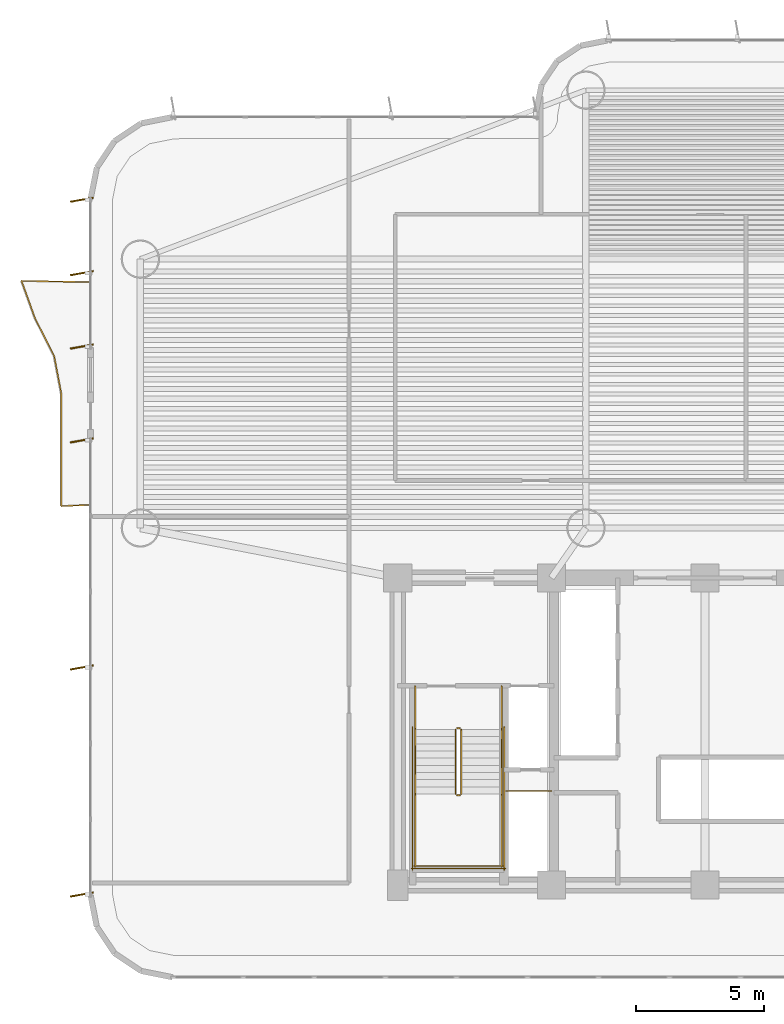
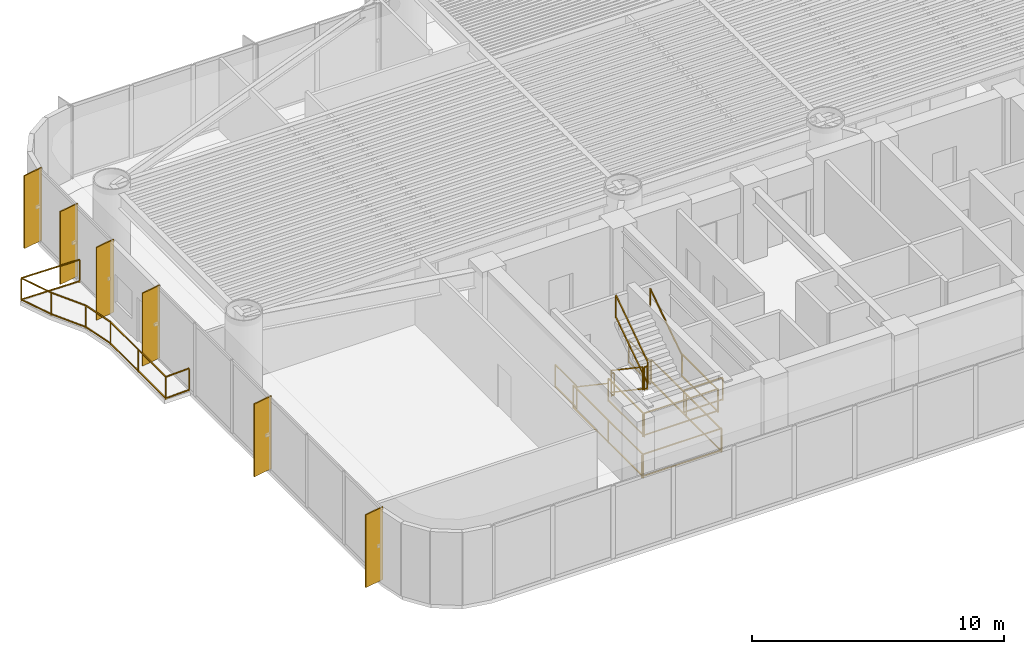
# One storey, part 13 of 16: 16 railings, 6 shading devices.
"""IFC4 building model written with IfcOpenShell, lengths in metres."""

from ifc_helpers import new_model, si_unit, direction, frame, origin, origin_2d, place, context, subcontext, project, spatial, rectangle, extrude, source, transform, mapped, material, layer, layer_set, material_profile, profile_set, type_object, element, save


model = new_model("IFC4")

# Units and contexts
model_context = context("Model", 3, precision=1e-05, world=origin(), true_north=direction((0.0, 1.0)))
body_context = subcontext(model_context, "Body", "Model", "MODEL_VIEW")
ifc_project = project(units=[si_unit("LENGTHUNIT", "METRE"), si_unit("AREAUNIT", "SQUARE_METRE"), si_unit("VOLUMEUNIT", "CUBIC_METRE"), si_unit("PLANEANGLEUNIT", "RADIAN"), si_unit("MASSUNIT", "GRAM", prefix="KILO")], contexts=[model_context])

# Site, building, storey
site_placement = place(None, origin())
site = spatial("IfcSite", under=ifc_project, at=site_placement, CompositionType="ELEMENT")
building_placement = place(site_placement, origin())
building = spatial("IfcBuilding", under=site, at=building_placement, Name="Brelvock Crest Care Tower", CompositionType="ELEMENT")
storey_placement = place(building_placement, frame((0.0, 0.0, 61.02001953125)))
storey = spatial("IfcBuildingStorey", under=building, at=storey_placement, Name="L15", CompositionType="ELEMENT", Elevation=61.02001953125)

# Railings
ifc_material_1 = material(Name="Dark Glass Double Glazed Low-E", Category="glass")
ifc_layer_1 = layer(ifc_material_1, 0.06005859375, Name="RL-BAL1")
ifc_layer_set_1 = layer_set([ifc_layer_1], Name="Dark Glass Double Glazed Low-E")
railing_type_1 = type_object("IfcRailingType", Name="RL-BAL1", PredefinedType="BALUSTRADE", material=ifc_layer_set_1)
railing_1_placement = place(storey_placement, frame((11.9599609375, 20.85009765625, 0.00390625)))
element("IfcRailing", 1, at=railing_1_placement, inside=storey, type_object=railing_type_1, Name="L15 Safety Balustrade WB-W", PredefinedType="BALUSTRADE", context=body_context, shape_type="SweptSolid", body=[
    extrude(rectangle(XDim=0.048095703125, YDim=0.048095703125, at=origin_2d()), frame((-0.001953125, 0.0, 1.09619140625), z_axis=(-0.998966252902, -0.045457953795, 0.0), x_axis=(0.045457953795, -0.998966252902, 0.0)), (0.0, 0.0, 1.0), 1.096923828125),
    extrude(rectangle(XDim=0.048095703125, YDim=0.048095703125, at=origin_2d()), frame((-0.001953125, 0.0, 0.054931640625), z_axis=(-0.998966252902, -0.045457953795, 0.0), x_axis=(0.045457953795, -0.998966252902, 0.0)), (0.0, 0.0, 1.0), 1.096923828125),
    extrude(rectangle(XDim=0.048095703125, YDim=0.048095703125, at=origin_2d()), frame((-1.099853515625, -0.048095703125, 1.09619140625), z_axis=(0.0, 1.0, 0.0), x_axis=(-1.0, 0.0, 0.0)), (0.0, 0.0, 1.0), 4.39599609375),
    extrude(rectangle(XDim=0.048095703125, YDim=0.048095703125, at=origin_2d()), frame((-1.099853515625, -0.048095703125, 0.054931640625), z_axis=(0.0, 1.0, 0.0), x_axis=(-1.0, 0.0, 0.0)), (0.0, 0.0, 1.0), 4.39599609375),
    extrude(rectangle(XDim=0.048095703125, YDim=0.048095703125, at=origin_2d()), frame((-1.100341796875, 4.351806640625, 1.09619140625), z_axis=(-0.187051999936, 0.982350013651, 0.0), x_axis=(-0.982350013651, -0.187051999936, 0.0)), (0.0, 0.0, 1.0), 1.4892578125),
    extrude(rectangle(XDim=0.048095703125, YDim=0.048095703125, at=origin_2d()), frame((-1.100341796875, 4.351806640625, 0.054931640625), z_axis=(-0.187051999936, 0.982350013651, 0.0), x_axis=(-0.982350013651, -0.187051999936, 0.0)), (0.0, 0.0, 1.0), 1.4892578125),
    extrude(rectangle(XDim=0.048095703125, YDim=0.048095703125, at=origin_2d()), frame((-1.380126953125, 5.818359375, 1.09619140625), z_axis=(-0.453316616849, 0.891349563801, 0.0), x_axis=(-0.891349563801, -0.453316616849, 0.0)), (0.0, 0.0, 1.0), 1.641357421875),
    extrude(rectangle(XDim=0.048095703125, YDim=0.048095703125, at=origin_2d()), frame((-1.380126953125, 5.818359375, 0.054931640625), z_axis=(-0.453316616849, 0.891349563801, 0.0), x_axis=(-0.891349563801, -0.453316616849, 0.0)), (0.0, 0.0, 1.0), 1.641357421875),
    extrude(rectangle(XDim=0.048095703125, YDim=0.048095703125, at=origin_2d()), frame((-2.125732421875, 7.28515625, 1.09619140625), z_axis=(-0.338597458076, 0.940931326604, 0.0), x_axis=(-0.940931326604, -0.338597458076, 0.0)), (0.0, 0.0, 1.0), 1.554931640625),
    extrude(rectangle(XDim=0.048095703125, YDim=0.048095703125, at=origin_2d()), frame((-2.125732421875, 7.28515625, 0.054931640625), z_axis=(-0.338597458076, 0.940931326604, 0.0), x_axis=(-0.940931326604, -0.338597458076, 0.0)), (0.0, 0.0, 1.0), 1.554931640625),
    extrude(rectangle(XDim=0.048095703125, YDim=0.048095703125, at=origin_2d()), frame((-2.65087890625, 8.75, 1.09619140625), z_axis=(0.999822080967, -0.018862831456, 0.0), x_axis=(0.018862831456, 0.999822080967, 0.0)), (0.0, 0.0, 1.0), 2.6494140625),
    extrude(rectangle(XDim=0.048095703125, YDim=0.048095703125, at=origin_2d()), frame((-2.65087890625, 8.75, 0.054931640625), z_axis=(0.999822080967, -0.018862831456, 0.0), x_axis=(0.018862831456, 0.999822080967, 0.0)), (0.0, 0.0, 1.0), 2.6494140625),
    extrude(rectangle(XDim=0.0419921875, YDim=0.0419921875, at=origin_2d()), origin(), (0.0, 0.0, 1.0), 1.070068359375),
    extrude(rectangle(XDim=0.0419921875, YDim=0.0419921875, at=origin_2d()), frame((-1.099853515625, -0.050048828125, 0.0)), (0.0, 0.0, 1.0), 1.070068359375),
    extrude(rectangle(XDim=0.0419921875, YDim=0.0419921875, at=origin_2d()), frame((-1.099853515625, 2.14990234375, 0.0)), (0.0, 0.0, 1.0), 1.070068359375),
    extrude(rectangle(XDim=0.0419921875, YDim=0.0419921875, at=origin_2d()), frame((-1.099853515625, 4.349853515625, 0.0)), (0.0, 0.0, 1.0), 1.070068359375),
    extrude(rectangle(XDim=0.0419921875, YDim=0.0419921875, at=origin_2d()), frame((-1.379150390625, 5.816650390625, 0.0)), (0.0, 0.0, 1.0), 1.070068359375),
    extrude(rectangle(XDim=0.0419921875, YDim=0.0419921875, at=origin_2d()), frame((-2.125, 7.283203125, 0.0)), (0.0, 0.0, 1.0), 1.070068359375),
    extrude(rectangle(XDim=0.0419921875, YDim=0.0419921875, at=origin_2d()), frame((-2.65283203125, 8.75, 0.0)), (0.0, 0.0, 1.0), 1.070068359375),
    extrude(rectangle(XDim=0.0419921875, YDim=0.0419921875, at=origin_2d()), frame((0.0, 8.699951171875, 0.0)), (0.0, 0.0, 1.0), 1.070068359375),
])
ifc_material_2 = material(Name="Steel Grade 350", Category="steel")
ifc_layer_2 = layer(ifc_material_2, 0.050048828125, Name="RL-STG1")
ifc_layer_set_2 = layer_set([ifc_layer_2], Name="Steel Grade 350")
railing_type_2 = type_object("IfcRailingType", Name="RL-STG1", PredefinedType="GUARDRAIL", material=ifc_layer_set_2)
railing_2_placement = place(storey_placement, frame((26.260009765625, 12.080078125, 0.18896484375)))
element("IfcRailing", 2, at=railing_2_placement, inside=storey, type_object=railing_type_2, Name="L15 ST-1 stair guard 1", PredefinedType="GUARDRAIL", context=body_context, shape_type="SweptSolid", body=[
    extrude(rectangle(XDim=0.048095703125, YDim=0.048095703125, at=origin_2d()), frame((0.0, -0.001708984375, 1.116943359375), z_axis=(0.0, -0.828861706735, 0.559453546873), x_axis=(1.0, 0.0, 0.0)), (0.0, 0.0, 1.0), 3.036376953125),
    extrude(rectangle(XDim=0.048095703125, YDim=0.048095703125, at=origin_2d()), frame((0.0, -0.001708984375, 0.05615234375), z_axis=(0.0, -0.828861706735, 0.559453546873), x_axis=(1.0, 0.0, 0.0)), (0.0, 0.0, 1.0), 3.036376953125),
    extrude(rectangle(XDim=0.0419921875, YDim=0.0419921875, at=origin_2d()), origin(), (0.0, 0.0, 1.0), 1.08984375),
    extrude(rectangle(XDim=0.0419921875, YDim=0.0419921875, at=origin_2d()), frame((0.0, -2.52001953125, 1.700927734375)), (0.0, 0.0, 1.0), 1.08984375),
])
railing_3_placement = place(storey_placement, frame((26.31005859375, 9.510009765625, 1.889892578125)))
element("IfcRailing", 3, at=railing_3_placement, inside=storey, type_object=railing_type_2, Name="L15 ST-1 stair guard 2", PredefinedType="GUARDRAIL", context=body_context, shape_type="SweptSolid", body=[
    extrude(rectangle(XDim=0.048095703125, YDim=0.048095703125, at=origin_2d()), frame((0.001953125, 0.0, 1.11572265625), z_axis=(1.0, 0.0, 0.0), x_axis=(0.0, 1.0, 0.0)), (0.0, 0.0, 1.0), 0.115966796875),
    extrude(rectangle(XDim=0.048095703125, YDim=0.048095703125, at=origin_2d()), frame((0.001953125, 0.0, 0.054931640625), z_axis=(1.0, 0.0, 0.0), x_axis=(0.0, 1.0, 0.0)), (0.0, 0.0, 1.0), 0.115966796875),
    extrude(rectangle(XDim=0.0419921875, YDim=0.0419921875, at=origin_2d()), origin(), (0.0, 0.0, 1.0), 1.08984375),
    extrude(rectangle(XDim=0.0419921875, YDim=0.0419921875, at=origin_2d()), frame((0.119873046875, 0.0, 0.0)), (0.0, 0.0, 1.0), 1.08984375),
])
for number, where, name in (
    (4, (24.679931640625, 9.56005859375, 1.889892578125), "L15 ST-1 stair guard 3"),
    (5, (28.06005859375, 9.56005859375, 1.889892578125), "L15 ST-1 stair guard 4"),
):
    element("IfcRailing", number, at=place(storey_placement, frame(where)), inside=storey, type_object=railing_type_2, Name=name, PredefinedType="GUARDRAIL", context=body_context, shape_type="SweptSolid", body=[
        extrude(rectangle(XDim=0.048095703125, YDim=0.048095703125, at=origin_2d()), frame((0.0, -0.001953125, 1.11572265625), z_axis=(0.0, -1.0, 0.0), x_axis=(1.0, 0.0, 0.0)), (0.0, 0.0, 1.0), 2.856201171875),
        extrude(rectangle(XDim=0.048095703125, YDim=0.048095703125, at=origin_2d()), frame((0.0, -0.001953125, 0.054931640625), z_axis=(0.0, -1.0, 0.0), x_axis=(1.0, 0.0, 0.0)), (0.0, 0.0, 1.0), 2.856201171875),
        extrude(rectangle(XDim=0.0419921875, YDim=0.0419921875, at=origin_2d()), origin(), (0.0, 0.0, 1.0), 1.08984375),
        extrude(rectangle(XDim=0.0419921875, YDim=0.0419921875, at=origin_2d()), frame((0.0, -2.860107421875, 0.0)), (0.0, 0.0, 1.0), 1.08984375),
    ])
railing_4_placement = place(storey_placement, frame((24.6298828125, 6.75, 1.889892578125)))
element("IfcRailing", 6, at=railing_4_placement, inside=storey, type_object=railing_type_2, Name="L15 ST-1 stair guard 5", PredefinedType="GUARDRAIL", context=body_context, shape_type="SweptSolid", body=[
    extrude(rectangle(XDim=0.048095703125, YDim=0.048095703125, at=origin_2d()), frame((0.001953125, 0.0, 1.11572265625), z_axis=(1.0, 0.0, 0.0), x_axis=(0.0, 1.0, 0.0)), (0.0, 0.0, 1.0), 3.476318359375),
    extrude(rectangle(XDim=0.048095703125, YDim=0.048095703125, at=origin_2d()), frame((0.001953125, 0.0, 0.054931640625), z_axis=(1.0, 0.0, 0.0), x_axis=(0.0, 1.0, 0.0)), (0.0, 0.0, 1.0), 3.476318359375),
    extrude(rectangle(XDim=0.0419921875, YDim=0.0419921875, at=origin_2d()), origin(), (0.0, 0.0, 1.0), 1.08984375),
    extrude(rectangle(XDim=0.0419921875, YDim=0.0419921875, at=origin_2d()), frame((3.480224609375, 0.0, 0.0)), (0.0, 0.0, 1.0), 1.08984375),
])
railing_5_placement = place(storey_placement, frame((26.47998046875, 9.56005859375, 2.0791015625)))
element("IfcRailing", 7, at=railing_5_placement, inside=storey, type_object=railing_type_2, Name="L15 ST-1 stair guard 6", PredefinedType="GUARDRAIL", context=body_context, shape_type="SweptSolid", body=[
    extrude(rectangle(XDim=0.048095703125, YDim=0.048095703125, at=origin_2d()), frame((0.0, 0.001708984375, 1.116943359375), z_axis=(0.0, 0.828861706735, 0.559453546873), x_axis=(-1.0, 0.0, 0.0)), (0.0, 0.0, 1.0), 3.036376953125),
    extrude(rectangle(XDim=0.048095703125, YDim=0.048095703125, at=origin_2d()), frame((0.0, 0.001708984375, 0.05615234375), z_axis=(0.0, 0.828861706735, 0.559453546873), x_axis=(-1.0, 0.0, 0.0)), (0.0, 0.0, 1.0), 3.036376953125),
    extrude(rectangle(XDim=0.0419921875, YDim=0.0419921875, at=origin_2d()), origin(), (0.0, 0.0, 1.0), 1.08984375),
    extrude(rectangle(XDim=0.0419921875, YDim=0.0419921875, at=origin_2d()), frame((0.0, 2.52001953125, 1.700927734375)), (0.0, 0.0, 1.0), 1.08984375),
])
railing_6_placement = place(storey_placement, frame((26.31005859375, 12.1298828125, 0.0)))
element("IfcRailing", 8, at=railing_6_placement, inside=storey, type_object=railing_type_2, Name="L15 ST-1 stair guard 7", PredefinedType="GUARDRAIL", context=body_context, shape_type="SweptSolid", body=[
    extrude(rectangle(XDim=0.048095703125, YDim=0.048095703125, at=origin_2d()), frame((0.001953125, 0.0, 1.11572265625), z_axis=(1.0, 0.0, 0.0), x_axis=(0.0, 1.0, 0.0)), (0.0, 0.0, 1.0), 0.115966796875),
    extrude(rectangle(XDim=0.048095703125, YDim=0.048095703125, at=origin_2d()), frame((0.001953125, 0.0, 0.054931640625), z_axis=(1.0, 0.0, 0.0), x_axis=(0.0, 1.0, 0.0)), (0.0, 0.0, 1.0), 0.115966796875),
    extrude(rectangle(XDim=0.0419921875, YDim=0.0419921875, at=origin_2d()), origin(), (0.0, 0.0, 1.0), 1.08984375),
    extrude(rectangle(XDim=0.0419921875, YDim=0.0419921875, at=origin_2d()), frame((0.119873046875, 0.0, 0.0)), (0.0, 0.0, 1.0), 1.08984375),
])
for number, where, name in (
    (9, (24.679931640625, 13.780029296875, 0.0), "L15 ST-1 stair guard 8"),
    (10, (28.06005859375, 13.780029296875, 0.0), "L15 ST-1 stair guard 9"),
):
    element("IfcRailing", number, at=place(storey_placement, frame(where)), inside=storey, type_object=railing_type_2, Name=name, PredefinedType="GUARDRAIL", context=body_context, shape_type="SweptSolid", body=[
        extrude(rectangle(XDim=0.048095703125, YDim=0.048095703125, at=origin_2d()), frame((0.0, -0.001953125, 1.11572265625), z_axis=(0.0, -1.0, 0.0), x_axis=(1.0, 0.0, 0.0)), (0.0, 0.0, 1.0), 1.696044921875),
        extrude(rectangle(XDim=0.048095703125, YDim=0.048095703125, at=origin_2d()), frame((0.0, -0.001953125, 0.054931640625), z_axis=(0.0, -1.0, 0.0), x_axis=(1.0, 0.0, 0.0)), (0.0, 0.0, 1.0), 1.696044921875),
        extrude(rectangle(XDim=0.0419921875, YDim=0.0419921875, at=origin_2d()), origin(), (0.0, 0.0, 1.0), 1.08984375),
        extrude(rectangle(XDim=0.0419921875, YDim=0.0419921875, at=origin_2d()), frame((0.0, -1.699951171875, 0.0)), (0.0, 0.0, 1.0), 1.08984375),
    ])
for number, where, name in (
    (11, (24.580078125, 12.179931640625, 0.0), "L15 ST-1 stair guard 10"),
    (12, (28.159912109375, 12.179931640625, 0.0), "L15 ST-1 stair guard 11"),
):
    element("IfcRailing", number, at=place(storey_placement, frame(where)), inside=storey, type_object=railing_type_2, Name=name, PredefinedType="GUARDRAIL", context=body_context, shape_type="SweptSolid", body=[
        extrude(rectangle(XDim=0.048095703125, YDim=0.048095703125, at=origin_2d()), frame((0.0, -0.001953125, 1.11572265625), z_axis=(0.0, -1.0, 0.0), x_axis=(1.0, 0.0, 0.0)), (0.0, 0.0, 1.0), 5.575927734375),
        extrude(rectangle(XDim=0.048095703125, YDim=0.048095703125, at=origin_2d()), frame((0.0, -0.001953125, 0.054931640625), z_axis=(0.0, -1.0, 0.0), x_axis=(1.0, 0.0, 0.0)), (0.0, 0.0, 1.0), 5.575927734375),
        extrude(rectangle(XDim=0.0419921875, YDim=0.0419921875, at=origin_2d()), origin(), (0.0, 0.0, 1.0), 1.08984375),
        extrude(rectangle(XDim=0.0419921875, YDim=0.0419921875, at=origin_2d()), frame((0.0, -2.7900390625, 0.0)), (0.0, 0.0, 1.0), 1.08984375),
        extrude(rectangle(XDim=0.0419921875, YDim=0.0419921875, at=origin_2d()), frame((0.0, -5.579833984375, 0.0)), (0.0, 0.0, 1.0), 1.08984375),
    ])
railing_7_placement = place(storey_placement, frame((24.530029296875, 6.64990234375, 0.0)))
element("IfcRailing", 13, at=railing_7_placement, inside=storey, type_object=railing_type_2, Name="L15 ST-1 stair guard 12", PredefinedType="GUARDRAIL", context=body_context, shape_type="SweptSolid", body=[
    extrude(rectangle(XDim=0.048095703125, YDim=0.048095703125, at=origin_2d()), frame((0.001953125, 0.0, 1.11572265625), z_axis=(1.0, 0.0, 0.0), x_axis=(0.0, 1.0, 0.0)), (0.0, 0.0, 1.0), 3.676025390625),
    extrude(rectangle(XDim=0.048095703125, YDim=0.048095703125, at=origin_2d()), frame((0.001953125, 0.0, 0.054931640625), z_axis=(1.0, 0.0, 0.0), x_axis=(0.0, 1.0, 0.0)), (0.0, 0.0, 1.0), 3.676025390625),
    extrude(rectangle(XDim=0.0419921875, YDim=0.0419921875, at=origin_2d()), origin(), (0.0, 0.0, 1.0), 1.08984375),
    extrude(rectangle(XDim=0.0419921875, YDim=0.0419921875, at=origin_2d()), frame((3.679931640625, 0.0, 0.0)), (0.0, 0.0, 1.0), 1.08984375),
])
railing_8_placement = place(storey_placement, frame((28.219970703125, 9.679931640625, 0.0)))
element("IfcRailing", 14, at=railing_8_placement, inside=storey, type_object=railing_type_2, Name="L15 Fire Riser Threshold Guard", PredefinedType="GUARDRAIL", context=body_context, shape_type="SweptSolid", body=[
    extrude(rectangle(XDim=0.048095703125, YDim=0.048095703125, at=origin_2d()), frame((0.001953125, 0.0, 1.11572265625), z_axis=(1.0, 0.0, 0.0), x_axis=(0.0, 1.0, 0.0)), (0.0, 0.0, 1.0), 1.776123046875),
    extrude(rectangle(XDim=0.048095703125, YDim=0.048095703125, at=origin_2d()), frame((0.001953125, 0.0, 0.054931640625), z_axis=(1.0, 0.0, 0.0), x_axis=(0.0, 1.0, 0.0)), (0.0, 0.0, 1.0), 1.776123046875),
    extrude(rectangle(XDim=0.0419921875, YDim=0.0419921875, at=origin_2d()), origin(), (0.0, 0.0, 1.0), 1.08984375),
    extrude(rectangle(XDim=0.0419921875, YDim=0.0419921875, at=origin_2d()), frame((1.780029296875, 0.0, 0.0)), (0.0, 0.0, 1.0), 1.08984375),
])
ifc_layer_3 = layer(ifc_material_2, 0.048095703125, Name="RL-STH1")
ifc_layer_set_3 = layer_set([ifc_layer_3], Name="Steel Grade 350")
railing_type_3 = type_object("IfcRailingType", Name="RL-STH1", PredefinedType="HANDRAIL", material=ifc_layer_set_3)
railing_9_placement = place(storey_placement, frame((24.679931640625, 12.080078125, 0.18896484375)))
element("IfcRailing", 15, at=railing_9_placement, inside=storey, type_object=railing_type_3, Name="L15 ST-1 stair handrail 1", PredefinedType="HANDRAIL", context=body_context, shape_type="SweptSolid", body=[
    extrude(rectangle(XDim=0.048095703125, YDim=0.048095703125, at=origin_2d()), frame((0.0, -0.001708984375, 0.876953125), z_axis=(0.0, -0.828861706735, 0.559453546873), x_axis=(1.0, 0.0, 0.0)), (0.0, 0.0, 1.0), 3.036376953125),
    extrude(rectangle(XDim=0.0419921875, YDim=0.0419921875, at=origin_2d()), origin(), (0.0, 0.0, 1.0), 0.849853515625),
    extrude(rectangle(XDim=0.0419921875, YDim=0.0419921875, at=origin_2d()), frame((0.0, -2.52001953125, 1.700927734375)), (0.0, 0.0, 1.0), 0.849853515625),
])
railing_10_placement = place(storey_placement, frame((28.06005859375, 9.56005859375, 2.0791015625)))
element("IfcRailing", 16, at=railing_10_placement, inside=storey, type_object=railing_type_3, Name="L15 ST-1 stair handrail 2", PredefinedType="HANDRAIL", context=body_context, shape_type="SweptSolid", body=[
    extrude(rectangle(XDim=0.048095703125, YDim=0.048095703125, at=origin_2d()), frame((0.0, 0.001708984375, 0.876953125), z_axis=(0.0, 0.828861706735, 0.559453546873), x_axis=(-1.0, 0.0, 0.0)), (0.0, 0.0, 1.0), 3.036376953125),
    extrude(rectangle(XDim=0.0419921875, YDim=0.0419921875, at=origin_2d()), origin(), (0.0, 0.0, 1.0), 0.849853515625),
    extrude(rectangle(XDim=0.0419921875, YDim=0.0419921875, at=origin_2d()), frame((0.0, 2.52001953125, 1.700927734375)), (0.0, 0.0, 1.0), 0.849853515625),
])

# Shading devices
ifc_material_3 = material(Name="Aluminium 6063-T6", Category="aluminium")
ifc_material_profile = material_profile(ifc_material_3, rectangle(XDim=0.054931640625, YDim=0.89990234375, at=origin_2d()), Name="FIN55x900")
ifc_profile_set = profile_set([ifc_material_profile], Name="Aluminium 6063-T6")
shading_device_type = type_object("IfcShadingDeviceType", Name="SHD-FIN1", PredefinedType="USERDEFINED", material=ifc_profile_set)
shared_shape = source(origin(), body_context, "Body", "SweptSolid", [
    extrude(rectangle(XDim=0.054931640625, YDim=0.89990234375, at=origin_2d()), origin(), (0.0, 0.0, 1.0), 3.530029296875),
])
for number, where, z_axis, x_axis, name in (
    (17, (11.659912109375, 5.632568359375, 0.0), (0.0, 0.0, 1.0), (-0.173648177667, 0.984807753012, 0.0), "L15 Vertical Sunshade Fin E13A-01"),
    (18, (11.659912109375, 14.5, 0.0), (0.0, 0.0, 1.0), (-0.173648177667, 0.984807753012, 0.0), "L15 Vertical Sunshade Fin E13A-04"),
    (19, (11.659912109375, 23.367431640625, 0.0), (0.0, 0.0, 1.0), (-0.173648177667, 0.984807753012, 0.0), "L15 Vertical Sunshade Fin E13A-07"),
    (20, (11.659912109375, 27.032470703125, 0.0), (0.0, 0.0, 1.0), (-0.173648177667, 0.984807753012, 0.0), "L15 Vertical Sunshade Fin E13B-01"),
    (21, (11.659912109375, 29.89990234375, 0.0), (0.0, 0.0, 1.0), (-0.173648177667, 0.984807753012, 0.0), "L15 Vertical Sunshade Fin E13B-02"),
    (22, (11.659912109375, 32.767578125, 0.0), (0.0, 0.0, 1.0), (-0.173648177667, 0.984807753012, 0.0), "L15 Vertical Sunshade Fin E13B-03"),
):
    element("IfcShadingDevice", number, at=place(storey_placement, frame(where, z_axis=z_axis, x_axis=x_axis)), inside=storey, type_object=shading_device_type, Name=name, ObjectType="FIN", PredefinedType="USERDEFINED", context=body_context, shape_type="MappedRepresentation", body=[
        mapped(shared_shape, transform((0.0, 0.0, 0.0), x_axis=(1.0, 0.0, 0.0), y_axis=(0.0, 1.0, 0.0), z_axis=(0.0, 0.0, 1.0), scale=1.0)),
    ])

save(model, "model.ifc")
